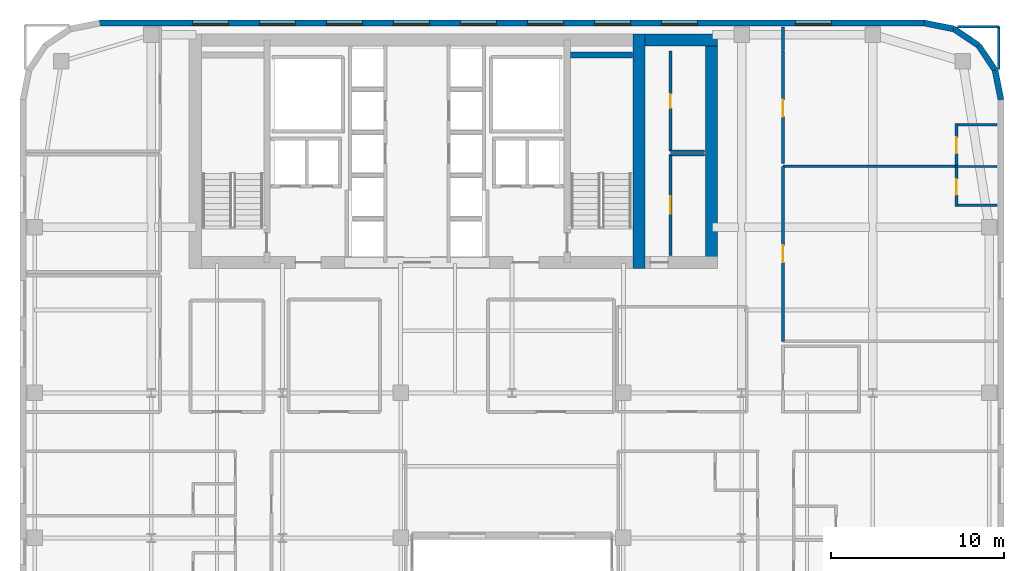
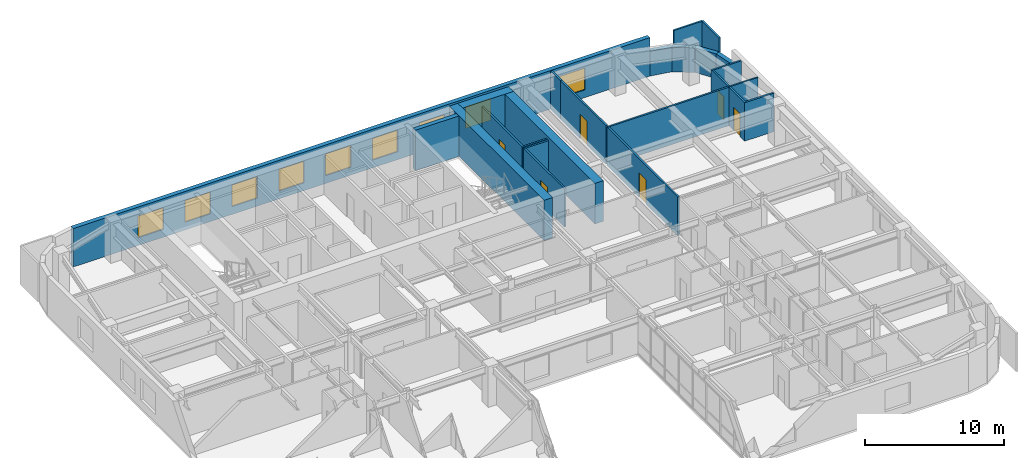
# One storey, part 15 of 17: 24 walls, 9 windows, 6 doors, 15 openings.
"""IFC4 building model written with IfcOpenShell, lengths in metres."""

from ifc_helpers import new_model, si_unit, direction, frame, frame_2d, origin, place, context, subcontext, project, spatial, rectangle, extrude, source, transform, mapped, material, layer, layer_set, type_object, type_shapes, element, fill, save


model = new_model("IFC4")

# Units and contexts
model_context = context("Model", 3, precision=1e-05, world=origin(), true_north=direction((0.0, 1.0)))
body_context = subcontext(model_context, "Body", "Model", "MODEL_VIEW")
ifc_project = project(units=[si_unit("LENGTHUNIT", "METRE"), si_unit("AREAUNIT", "SQUARE_METRE"), si_unit("VOLUMEUNIT", "CUBIC_METRE"), si_unit("PLANEANGLEUNIT", "RADIAN"), si_unit("MASSUNIT", "GRAM", prefix="KILO")], contexts=[model_context])

# Site, building, storey
site_placement = place(None, origin())
site = spatial("IfcSite", under=ifc_project, at=site_placement, CompositionType="ELEMENT")
building_placement = place(site_placement, origin())
building = spatial("IfcBuilding", under=site, at=building_placement, Name="Tolvann Quenvar Hotel", CompositionType="ELEMENT")
storey_placement = place(building_placement, frame((0.0, 0.0, 108.0)))
storey = spatial("IfcBuildingStorey", under=building, at=storey_placement, Name="L27", CompositionType="ELEMENT", Elevation=108.0)

# Walls
ifc_material_1 = material(Name="Concrete S65 (65 MPa)", Category="concrete")
ifc_layer_1 = layer(ifc_material_1, 0.699951171875)
ifc_layer_set_1 = layer_set([ifc_layer_1], Name="Concrete S65 (65 MPa)")
wall_type_1 = type_object("IfcWallType", Name="WALL_CORE_700", PredefinedType="SHEAR", material=ifc_layer_set_1)
wall_1_placement = place(storey_placement, frame((35.85009765625, 31.60009765625, 0.0), z_axis=(0.0, 0.0, 1.0), x_axis=(0.0, 1.0, 0.0)))
element("IfcWall", 1, at=wall_1_placement, inside=storey, type_object=wall_type_1, Name="Rear Core E Shear Wall (L27)", PredefinedType="SHEAR", context=body_context, shape_type="SweptSolid", body=[
    extrude(rectangle(XDim=13.599853515625, YDim=0.699951171875, at=frame_2d((6.7998046875, 0.0))), origin(), (0.0, 0.0, 1.0), 3.550048828125),
])
wall_2_placement = place(storey_placement, frame((36.199951171875, 44.85009765625, 0.0), z_axis=(0.0, 0.0, 1.0), x_axis=(1.0, 0.0, 0.0)))
element("IfcWall", 2, at=wall_2_placement, inside=storey, type_object=wall_type_1, Name="Core East Annex Shear Wall ANN-N (L27)", PredefinedType="SHEAR", context=body_context, shape_type="SweptSolid", body=[
    extrude(rectangle(XDim=4.199951171875, YDim=0.699951171875, at=frame_2d((2.10009765625, 0.0))), origin(), (0.0, 0.0, 1.0), 3.550048828125),
])
wall_3_placement = place(storey_placement, frame((40.050048828125, 31.60009765625, 0.0), z_axis=(0.0, 0.0, 1.0), x_axis=(0.0, 1.0, 0.0)))
element("IfcWall", 3, at=wall_3_placement, inside=storey, type_object=wall_type_1, Name="Core East Annex Shear Wall ANN-E (L27)", PredefinedType="SHEAR", context=body_context, shape_type="SweptSolid", body=[
    extrude(rectangle(XDim=13.599853515625, YDim=0.699951171875, at=frame_2d((6.7998046875, 0.0))), origin(), (0.0, 0.0, 1.0), 3.550048828125),
])
ifc_layer_2 = layer(ifc_material_1, 0.35009765625)
ifc_layer_set_2 = layer_set([ifc_layer_2], Name="Concrete S65 (65 MPa)")
wall_type_2 = type_object("IfcWallType", Name="WALL_CORE_INT_350", PredefinedType="SHEAR", material=ifc_layer_set_2)
wall_4_placement = place(storey_placement, frame((31.8798828125, 43.97509765625, 0.0), z_axis=(0.0, 0.0, 1.0), x_axis=(1.0, 0.0, 0.0)))
element("IfcWall", 4, at=wall_4_placement, inside=storey, type_object=wall_type_2, Name="Core Stair North Closing Shear Wall STC2-N (L27)", PredefinedType="SHEAR", context=body_context, shape_type="SweptSolid", body=[
    extrude(rectangle(XDim=3.60009765625, YDim=0.35009765625, at=frame_2d((1.800048828125, 0.0))), origin(), (0.0, 0.0, 1.0), 3.550048828125),
])
ifc_material_2 = material(Name="Kiln-fired red and buff architectural clay brickwork and terracotta masonry", Category="masonry")
ifc_layer_3 = layer(ifc_material_2, 0.35009765625)
ifc_layer_set_3 = layer_set([ifc_layer_3], Name="Kiln-fired red and buff architectural clay brickwork and terracotta masonry")
wall_type_3 = type_object("IfcWallType", Name="WALL_EXT_BRICK_350", PredefinedType="SOLIDWALL", material=ifc_layer_set_3)
wall_5_placement = place(storey_placement, frame((56.824951171875, 41.3828125, 0.0), z_axis=(0.0, 0.0, 1.0), x_axis=(-0.195011420161, 0.980800971659, 0.0)))
element("IfcWall", 5, at=wall_5_placement, inside=storey, type_object=wall_type_3, Name="Exterior Chicago Brick Wall L27-E14", PredefinedType="SOLIDWALL", context=body_context, shape_type="SweptSolid", body=[
    extrude(rectangle(XDim=1.74267578125, YDim=0.35009765625, at=frame_2d((0.871337890625, 0.0))), origin(), (0.0, 0.0, 1.0), 2.159912109375),
])
for number, where, z_axis, x_axis, name in (
    (6, (56.485107421875, 43.092041015625, 0.0), (0.0, 0.0, 1.0), (-0.55554893791, 0.831483840845, 0.0), "Exterior Chicago Brick Wall L27-E15"),
    (7, (55.526611328125, 44.526611328125, 0.0), (0.0, 0.0, 1.0), (-0.831483840845, 0.55554893791, 0.0), "Exterior Chicago Brick Wall L27-E16"),
):
    element("IfcWall", number, at=place(storey_placement, frame(where, z_axis=z_axis, x_axis=x_axis)), inside=storey, type_object=wall_type_3, Name=name, PredefinedType="SOLIDWALL", context=body_context, shape_type="SweptSolid", body=[
        extrude(rectangle(XDim=1.725341796875, YDim=0.35009765625, at=frame_2d((0.86279296875, 0.0))), origin(), (0.0, 0.0, 1.0), 2.159912109375),
    ])
wall_6_placement = place(storey_placement, frame((54.092041015625, 45.485107421875, 0.0), z_axis=(0.0, 0.0, 1.0), x_axis=(-0.980800971659, 0.195011420161, 0.0)))
element("IfcWall", 8, at=wall_6_placement, inside=storey, type_object=wall_type_3, Name="Exterior Chicago Brick Wall L27-E17", PredefinedType="SOLIDWALL", context=body_context, shape_type="SweptSolid", body=[
    extrude(rectangle(XDim=1.74267578125, YDim=0.35009765625, at=frame_2d((0.871337890625, 0.0))), origin(), (0.0, 0.0, 1.0), 2.159912109375),
])

# Wall, openings, windows
wall_7_placement = place(storey_placement, frame((52.3828125, 45.824951171875, 0.0), z_axis=(0.0, 0.0, 1.0), x_axis=(-1.0, 0.0, 0.0)))
wall_7 = element("IfcWall", 9, at=wall_7_placement, inside=storey, type_object=wall_type_3, Name="Exterior Chicago Brick Wall L27-E18", PredefinedType="SOLIDWALL", context=body_context, shape_type="SweptSolid", body=[
    extrude(rectangle(XDim=47.765625, YDim=0.35009765625, at=frame_2d((23.8828125, 0.0))), origin(), (0.0, 0.0, 1.0), 3.3701171875),
])
opening_1_placement = place(wall_7_placement, frame((5.37109375, 0.0, 0.679931640625)))
opening_1 = element("IfcOpeningElement", 10, at=opening_1_placement, cuts=wall_7, Name="Opening W-02", PredefinedType="OPENING", context=body_context, shape_type="SweptSolid", body=[
    extrude(rectangle(XDim=2.10009765625, YDim=1.89990234375, at=frame_2d((1.050048828125, 0.949951171875))), frame((0.0, 0.18505859375, 0.0), z_axis=(0.0, -1.0, 0.0), x_axis=(1.0, 0.0, 0.0)), (0.0, 0.0, 1.0), 0.3701171875),
])
opening_2_placement = place(wall_7_placement, frame((13.132080078125, 0.0, 0.679931640625)))
opening_2 = element("IfcOpeningElement", 11, at=opening_2_placement, cuts=wall_7, Name="Opening W-02", PredefinedType="OPENING", context=body_context, shape_type="SweptSolid", body=[
    extrude(rectangle(XDim=2.10009765625, YDim=1.89990234375, at=frame_2d((1.050048828125, 0.949951171875))), frame((0.0, 0.18505859375, 0.0), z_axis=(0.0, -1.0, 0.0), x_axis=(1.0, 0.0, 0.0)), (0.0, 0.0, 1.0), 0.3701171875),
])
opening_3_placement = place(wall_7_placement, frame((17.011962890625, 0.0, 0.679931640625)))
opening_3 = element("IfcOpeningElement", 12, at=opening_3_placement, cuts=wall_7, Name="Opening W-02", PredefinedType="OPENING", context=body_context, shape_type="SweptSolid", body=[
    extrude(rectangle(XDim=2.10009765625, YDim=1.89990234375, at=frame_2d((1.050048828125, 0.949951171875))), frame((0.0, 0.18505859375, 0.0), z_axis=(0.0, -1.0, 0.0), x_axis=(1.0, 0.0, 0.0)), (0.0, 0.0, 1.0), 0.3701171875),
])
opening_4_placement = place(wall_7_placement, frame((20.89306640625, 0.0, 0.679931640625)))
opening_4 = element("IfcOpeningElement", 13, at=opening_4_placement, cuts=wall_7, Name="Opening W-02", PredefinedType="OPENING", context=body_context, shape_type="SweptSolid", body=[
    extrude(rectangle(XDim=2.10009765625, YDim=1.89990234375, at=frame_2d((1.050048828125, 0.949951171875))), frame((0.0, 0.18505859375, 0.0), z_axis=(0.0, -1.0, 0.0), x_axis=(1.0, 0.0, 0.0)), (0.0, 0.0, 1.0), 0.3701171875),
])
opening_5_placement = place(wall_7_placement, frame((24.77294921875, 0.0, 0.679931640625)))
opening_5 = element("IfcOpeningElement", 14, at=opening_5_placement, cuts=wall_7, Name="Opening W-02", PredefinedType="OPENING", context=body_context, shape_type="SweptSolid", body=[
    extrude(rectangle(XDim=2.10009765625, YDim=1.89990234375, at=frame_2d((1.050048828125, 0.949951171875))), frame((0.0, 0.18505859375, 0.0), z_axis=(0.0, -1.0, 0.0), x_axis=(1.0, 0.0, 0.0)), (0.0, 0.0, 1.0), 0.3701171875),
])
opening_6_placement = place(wall_7_placement, frame((28.654052734375, 0.0, 0.679931640625)))
opening_6 = element("IfcOpeningElement", 15, at=opening_6_placement, cuts=wall_7, Name="Opening W-02", PredefinedType="OPENING", context=body_context, shape_type="SweptSolid", body=[
    extrude(rectangle(XDim=2.10009765625, YDim=1.89990234375, at=frame_2d((1.050048828125, 0.949951171875))), frame((0.0, 0.18505859375, 0.0), z_axis=(0.0, -1.0, 0.0), x_axis=(1.0, 0.0, 0.0)), (0.0, 0.0, 1.0), 0.3701171875),
])
opening_7_placement = place(wall_7_placement, frame((32.533935546875, 0.0, 0.679931640625)))
opening_7 = element("IfcOpeningElement", 16, at=opening_7_placement, cuts=wall_7, Name="Opening W-02", PredefinedType="OPENING", context=body_context, shape_type="SweptSolid", body=[
    extrude(rectangle(XDim=2.10009765625, YDim=1.89990234375, at=frame_2d((1.050048828125, 0.949951171875))), frame((0.0, 0.18505859375, 0.0), z_axis=(0.0, -1.0, 0.0), x_axis=(1.0, 0.0, 0.0)), (0.0, 0.0, 1.0), 0.3701171875),
])
opening_8_placement = place(wall_7_placement, frame((36.4140625, 0.0, 0.679931640625)))
opening_8 = element("IfcOpeningElement", 17, at=opening_8_placement, cuts=wall_7, Name="Opening W-02", PredefinedType="OPENING", context=body_context, shape_type="SweptSolid", body=[
    extrude(rectangle(XDim=2.10009765625, YDim=1.89990234375, at=frame_2d((1.050048828125, 0.949951171875))), frame((0.0, 0.18505859375, 0.0), z_axis=(0.0, -1.0, 0.0), x_axis=(1.0, 0.0, 0.0)), (0.0, 0.0, 1.0), 0.3701171875),
])
opening_9_placement = place(wall_7_placement, frame((40.294921875, 0.0, 0.679931640625)))
opening_9 = element("IfcOpeningElement", 18, at=opening_9_placement, cuts=wall_7, Name="Opening W-02", PredefinedType="OPENING", context=body_context, shape_type="SweptSolid", body=[
    extrude(rectangle(XDim=2.10009765625, YDim=1.89990234375, at=frame_2d((1.050048828125, 0.949951171875))), frame((0.0, 0.18505859375, 0.0), z_axis=(0.0, -1.0, 0.0), x_axis=(1.0, 0.0, 0.0)), (0.0, 0.0, 1.0), 0.3701171875),
])
ifc_material_3 = material(Name="Thermally broken bronze-anodised aluminium frame with double low-E glazing", Category="aluminium")
window_type = type_object("IfcWindowType", Name="WIN_CHI_2100x2050", PartitioningType="TRIPLE_PANEL_HORIZONTAL", PredefinedType="WINDOW", material=ifc_material_3)
shared_shape_1 = source(origin(), body_context, "Body", "SweptSolid", [
    extrude(rectangle(XDim=2.10009765625, YDim=1.89990234375, at=frame_2d((1.050048828125, 0.949951171875))), frame((0.0, 0.090087890625, 0.0), z_axis=(0.0, -1.0, 0.0), x_axis=(1.0, 0.0, 0.0)), (0.0, 0.0, 1.0), 0.06005859375),
])
type_shapes(window_type, [shared_shape_1])
window_1_placement = place(opening_1_placement, origin())
window_1 = element("IfcWindow", 19, at=window_1_placement, inside=storey, type_object=window_type, Name="Chicago Window W-02 (EW-L27-E18-W01)", OverallHeight=1.89990234375, OverallWidth=2.10009765625, PartitioningType="TRIPLE_PANEL_HORIZONTAL", PredefinedType="WINDOW", context=body_context, shape_type="MappedRepresentation", body=[
    mapped(shared_shape_1, transform((0.0, 0.0, 0.0), x_axis=(1.0, 0.0, 0.0), y_axis=(0.0, 1.0, 0.0), z_axis=(0.0, 0.0, 1.0), scale=1.0)),
])
fill(opening_1, window_1)
window_2_placement = place(opening_2_placement, origin())
window_2 = element("IfcWindow", 20, at=window_2_placement, inside=storey, type_object=window_type, Name="Chicago Window W-02 (EW-L27-E18-W02)", OverallHeight=1.89990234375, OverallWidth=2.10009765625, PartitioningType="TRIPLE_PANEL_HORIZONTAL", PredefinedType="WINDOW", context=body_context, shape_type="MappedRepresentation", body=[
    mapped(shared_shape_1, transform((0.0, 0.0, 0.0), x_axis=(1.0, 0.0, 0.0), y_axis=(0.0, 1.0, 0.0), z_axis=(0.0, 0.0, 1.0), scale=1.0)),
])
fill(opening_2, window_2)
window_3_placement = place(opening_3_placement, origin())
window_3 = element("IfcWindow", 21, at=window_3_placement, inside=storey, type_object=window_type, Name="Chicago Window W-02 (EW-L27-E18-W03)", OverallHeight=1.89990234375, OverallWidth=2.10009765625, PartitioningType="TRIPLE_PANEL_HORIZONTAL", PredefinedType="WINDOW", context=body_context, shape_type="MappedRepresentation", body=[
    mapped(shared_shape_1, transform((0.0, 0.0, 0.0), x_axis=(1.0, 0.0, 0.0), y_axis=(0.0, 1.0, 0.0), z_axis=(0.0, 0.0, 1.0), scale=1.0)),
])
fill(opening_3, window_3)
window_4_placement = place(opening_4_placement, origin())
window_4 = element("IfcWindow", 22, at=window_4_placement, inside=storey, type_object=window_type, Name="Chicago Window W-02 (EW-L27-E18-W04)", OverallHeight=1.89990234375, OverallWidth=2.10009765625, PartitioningType="TRIPLE_PANEL_HORIZONTAL", PredefinedType="WINDOW", context=body_context, shape_type="MappedRepresentation", body=[
    mapped(shared_shape_1, transform((0.0, 0.0, 0.0), x_axis=(1.0, 0.0, 0.0), y_axis=(0.0, 1.0, 0.0), z_axis=(0.0, 0.0, 1.0), scale=1.0)),
])
fill(opening_4, window_4)
window_5_placement = place(opening_5_placement, origin())
window_5 = element("IfcWindow", 23, at=window_5_placement, inside=storey, type_object=window_type, Name="Chicago Window W-02 (EW-L27-E18-W05)", OverallHeight=1.89990234375, OverallWidth=2.10009765625, PartitioningType="TRIPLE_PANEL_HORIZONTAL", PredefinedType="WINDOW", context=body_context, shape_type="MappedRepresentation", body=[
    mapped(shared_shape_1, transform((0.0, 0.0, 0.0), x_axis=(1.0, 0.0, 0.0), y_axis=(0.0, 1.0, 0.0), z_axis=(0.0, 0.0, 1.0), scale=1.0)),
])
fill(opening_5, window_5)
window_6_placement = place(opening_6_placement, origin())
window_6 = element("IfcWindow", 24, at=window_6_placement, inside=storey, type_object=window_type, Name="Chicago Window W-02 (EW-L27-E18-W06)", OverallHeight=1.89990234375, OverallWidth=2.10009765625, PartitioningType="TRIPLE_PANEL_HORIZONTAL", PredefinedType="WINDOW", context=body_context, shape_type="MappedRepresentation", body=[
    mapped(shared_shape_1, transform((0.0, 0.0, 0.0), x_axis=(1.0, 0.0, 0.0), y_axis=(0.0, 1.0, 0.0), z_axis=(0.0, 0.0, 1.0), scale=1.0)),
])
fill(opening_6, window_6)
window_7_placement = place(opening_7_placement, origin())
window_7 = element("IfcWindow", 25, at=window_7_placement, inside=storey, type_object=window_type, Name="Chicago Window W-02 (EW-L27-E18-W07)", OverallHeight=1.89990234375, OverallWidth=2.10009765625, PartitioningType="TRIPLE_PANEL_HORIZONTAL", PredefinedType="WINDOW", context=body_context, shape_type="MappedRepresentation", body=[
    mapped(shared_shape_1, transform((0.0, 0.0, 0.0), x_axis=(1.0, 0.0, 0.0), y_axis=(0.0, 1.0, 0.0), z_axis=(0.0, 0.0, 1.0), scale=1.0)),
])
fill(opening_7, window_7)
window_8_placement = place(opening_8_placement, origin())
window_8 = element("IfcWindow", 26, at=window_8_placement, inside=storey, type_object=window_type, Name="Chicago Window W-02 (EW-L27-E18-W08)", OverallHeight=1.89990234375, OverallWidth=2.10009765625, PartitioningType="TRIPLE_PANEL_HORIZONTAL", PredefinedType="WINDOW", context=body_context, shape_type="MappedRepresentation", body=[
    mapped(shared_shape_1, transform((0.0, 0.0, 0.0), x_axis=(1.0, 0.0, 0.0), y_axis=(0.0, 1.0, 0.0), z_axis=(0.0, 0.0, 1.0), scale=1.0)),
])
fill(opening_8, window_8)
window_9_placement = place(opening_9_placement, origin())
window_9 = element("IfcWindow", 27, at=window_9_placement, inside=storey, type_object=window_type, Name="Chicago Window W-02 (EW-L27-E18-W09)", OverallHeight=1.89990234375, OverallWidth=2.10009765625, PartitioningType="TRIPLE_PANEL_HORIZONTAL", PredefinedType="WINDOW", context=body_context, shape_type="MappedRepresentation", body=[
    mapped(shared_shape_1, transform((0.0, 0.0, 0.0), x_axis=(1.0, 0.0, 0.0), y_axis=(0.0, 1.0, 0.0), z_axis=(0.0, 0.0, 1.0), scale=1.0)),
])
fill(opening_9, window_9)

# Wall
ifc_material_4 = material(Name="Moisture-resistant acoustic plumbing wall assembly")
ifc_layer_4 = layer(ifc_material_4, 0.1201171875)
ifc_layer_set_4 = layer_set([ifc_layer_4], Name="Moisture-resistant acoustic plumbing wall assembly")
wall_type_4 = type_object("IfcWallType", Name="WALL_PART_BATH_120", PredefinedType="PLUMBINGWALL", material=ifc_layer_set_4)
wall_8_placement = place(storey_placement, frame((54.179931640625, 37.52001953125, 0.0), z_axis=(0.0, 0.0, 1.0), x_axis=(1.0, 0.0, 0.0)))
element("IfcWall", 28, at=wall_8_placement, inside=storey, type_object=wall_type_4, Name="Non-Rated Plumbing Partition PT-SPC-L27-ENS-NE01-N", PredefinedType="PLUMBINGWALL", context=body_context, shape_type="SweptSolid", body=[
    extrude(rectangle(XDim=2.4150390625, YDim=0.1201171875, at=frame_2d((1.20751953125, 0.0))), origin(), (0.0, 0.0, 1.0), 3.3701171875),
])

# Wall, opening, door
ifc_material_5 = material(Name="Acoustic twin-stud fire-rated gypsum plasterboard partition")
ifc_layer_5 = layer(ifc_material_5, 0.14990234375)
ifc_layer_set_5 = layer_set([ifc_layer_5], Name="Acoustic twin-stud fire-rated gypsum plasterboard partition")
wall_type_5 = type_object("IfcWallType", Name="WALL_PART_SUITE_150", PredefinedType="PARTITIONING", material=ifc_layer_set_5)
wall_9_placement = place(storey_placement, frame((54.25, 35.199951171875, 0.0), z_axis=(0.0, 0.0, 1.0), x_axis=(0.0, 1.0, 0.0)))
wall_9 = element("IfcWall", 29, at=wall_9_placement, inside=storey, type_object=wall_type_5, Name="Interior Partition PT-SPC-L27-ENS-NE01-ENT", PredefinedType="PARTITIONING", context=body_context, shape_type="SweptSolid", body=[
    extrude(rectangle(XDim=2.39013671875, YDim=0.14990234375, at=frame_2d((1.195068359375, 0.0))), origin(), (0.0, 0.0, 1.0), 3.3701171875),
])
opening_10_placement = place(wall_9_placement, frame((0.6650390625, 0.0, 0.0)))
opening_10 = element("IfcOpeningElement", 30, at=opening_10_placement, cuts=wall_9, Name="Opening WD-01", PredefinedType="OPENING", context=body_context, shape_type="SweptSolid", body=[
    extrude(rectangle(XDim=0.919921875, YDim=2.010009765625, at=frame_2d((0.4599609375, 1.0048828125))), frame((0.0, 0.0849609375, 0.0), z_axis=(0.0, -1.0, 0.0), x_axis=(1.0, 0.0, 0.0)), (0.0, 0.0, 1.0), 0.169921875),
])
ifc_material_6 = material(Name="Solid-core American oak acoustic fire door leaf in steel frame", Category="steel")
door_type_1 = type_object("IfcDoorType", Name="DOOR_WC_920", OperationType="NOTDEFINED", PredefinedType="DOOR", material=ifc_material_6)
shared_shape_2 = source(origin(), body_context, "Body", "SweptSolid", [
    extrude(rectangle(XDim=0.919921875, YDim=2.010009765625, at=frame_2d((0.4599609375, 1.0048828125))), frame((0.0, 0.02490234375, 0.0), z_axis=(0.0, -1.0, 0.0), x_axis=(1.0, 0.0, 0.0)), (0.0, 0.0, 1.0), 0.050048828125),
])
type_shapes(door_type_1, [shared_shape_2])
door_1_placement = place(opening_10_placement, origin())
door_1 = element("IfcDoor", 31, at=door_1_placement, inside=storey, type_object=door_type_1, Name="Interior Door DOOR-SPC-L27-ENS-NE01", OperationType="SINGLE_SWING_RIGHT", OverallHeight=2.010009765625, OverallWidth=0.919921875, PredefinedType="DOOR", context=body_context, shape_type="MappedRepresentation", body=[
    mapped(shared_shape_2, transform((0.0, 0.0, 0.0), x_axis=(1.0, 0.0, 0.0), y_axis=(0.0, 1.0, 0.0), z_axis=(0.0, 0.0, 1.0), scale=1.0)),
])
fill(opening_10, door_1)

# Wall
wall_10_placement = place(storey_placement, frame((54.179931640625, 35.27001953125, 0.0), z_axis=(0.0, 0.0, 1.0), x_axis=(1.0, 0.0, 0.0)))
element("IfcWall", 32, at=wall_10_placement, inside=storey, type_object=wall_type_5, Name="Interior Partition PT-SPC-L27-ENS-NE01-S", PredefinedType="PARTITIONING", context=body_context, shape_type="SweptSolid", body=[
    extrude(rectangle(XDim=2.4150390625, YDim=0.14990234375, at=frame_2d((1.20751953125, 0.0))), origin(), (0.0, 0.0, 1.0), 3.3701171875),
])

# Wall, opening, door
wall_11_placement = place(storey_placement, frame((54.25, 37.610107421875, 0.0), z_axis=(0.0, 0.0, 1.0), x_axis=(0.0, 1.0, 0.0)))
wall_11 = element("IfcWall", 33, at=wall_11_placement, inside=storey, type_object=wall_type_5, Name="Interior Partition PT-SPC-L27-ENS-NE02-ENT", PredefinedType="PARTITIONING", context=body_context, shape_type="SweptSolid", body=[
    extrude(rectangle(XDim=2.389892578125, YDim=0.14990234375, at=frame_2d((1.19482421875, 0.0))), origin(), (0.0, 0.0, 1.0), 3.3701171875),
])
opening_11_placement = place(wall_11_placement, frame((0.6650390625, 0.0, 0.0)))
opening_11 = element("IfcOpeningElement", 34, at=opening_11_placement, cuts=wall_11, Name="Opening WD-01", PredefinedType="OPENING", context=body_context, shape_type="SweptSolid", body=[
    extrude(rectangle(XDim=0.919921875, YDim=2.010009765625, at=frame_2d((0.4599609375, 1.0048828125))), frame((0.0, 0.0849609375, 0.0), z_axis=(0.0, -1.0, 0.0), x_axis=(1.0, 0.0, 0.0)), (0.0, 0.0, 1.0), 0.169921875),
])
door_2_placement = place(opening_11_placement, origin())
door_2 = element("IfcDoor", 35, at=door_2_placement, inside=storey, type_object=door_type_1, Name="Interior Door DOOR-SPC-L27-ENS-NE02", OperationType="SINGLE_SWING_LEFT", OverallHeight=2.010009765625, OverallWidth=0.919921875, PredefinedType="DOOR", context=body_context, shape_type="MappedRepresentation", body=[
    mapped(shared_shape_2, transform((0.0, 0.0, 0.0), x_axis=(1.0, 0.0, 0.0), y_axis=(0.0, 1.0, 0.0), z_axis=(0.0, 0.0, 1.0), scale=1.0)),
])
fill(opening_11, door_2)

# Walls
wall_12_placement = place(storey_placement, frame((54.179931640625, 39.929931640625, 0.0), z_axis=(0.0, 0.0, 1.0), x_axis=(1.0, 0.0, 0.0)))
element("IfcWall", 36, at=wall_12_placement, inside=storey, type_object=wall_type_5, Name="Interior Partition PT-SPC-L27-ENS-NE02-N", PredefinedType="PARTITIONING", context=body_context, shape_type="SweptSolid", body=[
    extrude(rectangle(XDim=2.4150390625, YDim=0.14990234375, at=frame_2d((1.20751953125, 0.0))), origin(), (0.0, 0.0, 1.0), 3.3701171875),
])
wall_13_placement = place(storey_placement, frame((37.679931640625, 38.199951171875, 0.0), z_axis=(0.0, 0.0, 1.0), x_axis=(1.0, 0.0, 0.0)))
element("IfcWall", 37, at=wall_13_placement, inside=storey, type_object=wall_type_5, Name="Interior Partition PT-SPC-L27-RECPL-1-N", PredefinedType="PARTITIONING", context=body_context, shape_type="SweptSolid", body=[
    extrude(rectangle(XDim=1.965087890625, YDim=0.14990234375, at=frame_2d((0.982421875, 0.0))), origin(), (0.0, 0.0, 1.0), 3.3701171875),
])

# Wall, opening, door
wall_14_placement = place(storey_placement, frame((37.679931640625, 32.35498046875, 0.0), z_axis=(0.0, 0.0, 1.0), x_axis=(0.0, 1.0, 0.0)))
wall_14 = element("IfcWall", 38, at=wall_14_placement, inside=storey, type_object=wall_type_5, Name="Interior Partition PT-SPC-L27-RECPL-1-W", PredefinedType="PARTITIONING", context=body_context, shape_type="SweptSolid", body=[
    extrude(rectangle(XDim=5.844970703125, YDim=0.14990234375, at=frame_2d((2.92236328125, 0.0))), origin(), (0.0, 0.0, 1.0), 3.3701171875),
])
opening_12_placement = place(wall_14_placement, frame((2.41259765625, 0.0, 0.0)))
opening_12 = element("IfcOpeningElement", 39, at=opening_12_placement, cuts=wall_14, Name="Opening HD-01", PredefinedType="OPENING", context=body_context, shape_type="SweptSolid", body=[
    extrude(rectangle(XDim=1.02001953125, YDim=2.030029296875, at=frame_2d((0.510009765625, 1.01513671875))), frame((0.0, 0.0849609375, 0.0), z_axis=(0.0, -1.0, 0.0), x_axis=(1.0, 0.0, 0.0)), (0.0, 0.0, 1.0), 0.169921875),
])
ifc_material_7 = material(Name="Pressed galvanised steel fire-rated door set", Category="steel")
door_type_2 = type_object("IfcDoorType", Name="DOOR_BOH_1020", OperationType="NOTDEFINED", PredefinedType="DOOR", material=ifc_material_7)
shared_shape_3 = source(origin(), body_context, "Body", "SweptSolid", [
    extrude(rectangle(XDim=1.02001953125, YDim=2.030029296875, at=frame_2d((0.510009765625, 1.01513671875))), frame((0.0, 0.02490234375, 0.0), z_axis=(0.0, -1.0, 0.0), x_axis=(1.0, 0.0, 0.0)), (0.0, 0.0, 1.0), 0.050048828125),
])
type_shapes(door_type_2, [shared_shape_3])
door_3_placement = place(opening_12_placement, origin())
door_3 = element("IfcDoor", 40, at=door_3_placement, inside=storey, type_object=door_type_2, Name="Interior Door DOOR-SPC-L27-RECPL-1", OperationType="SINGLE_SWING_RIGHT", OverallHeight=2.030029296875, OverallWidth=1.02001953125, PredefinedType="DOOR", context=body_context, shape_type="MappedRepresentation", body=[
    mapped(shared_shape_3, transform((0.0, 0.0, 0.0), x_axis=(1.0, 0.0, 0.0), y_axis=(0.0, 1.0, 0.0), z_axis=(0.0, 0.0, 1.0), scale=1.0)),
])
fill(opening_12, door_3)

# Wall
wall_15_placement = place(storey_placement, frame((37.679931640625, 38.39990234375, 0.0), z_axis=(0.0, 0.0, 1.0), x_axis=(1.0, 0.0, 0.0)))
element("IfcWall", 41, at=wall_15_placement, inside=storey, type_object=wall_type_5, Name="Interior Partition PT-SPC-L27-CSE-1-S", PredefinedType="PARTITIONING", context=body_context, shape_type="SweptSolid", body=[
    extrude(rectangle(XDim=1.965087890625, YDim=0.14990234375, at=frame_2d((0.982421875, 0.0))), origin(), (0.0, 0.0, 1.0), 3.3701171875),
])

# Wall, opening, door
wall_16_placement = place(storey_placement, frame((37.679931640625, 38.39990234375, 0.0), z_axis=(0.0, 0.0, 1.0), x_axis=(0.0, 1.0, 0.0)))
wall_16 = element("IfcWall", 42, at=wall_16_placement, inside=storey, type_object=wall_type_5, Name="Interior Partition PT-SPC-L27-CSE-1-W", PredefinedType="PARTITIONING", context=body_context, shape_type="SweptSolid", body=[
    extrude(rectangle(XDim=5.800048828125, YDim=0.14990234375, at=frame_2d((2.89990234375, 0.0))), origin(), (0.0, 0.0, 1.0), 3.3701171875),
])
opening_13_placement = place(wall_16_placement, frame((2.489990234375, 0.0, 0.0)))
opening_13 = element("IfcOpeningElement", 43, at=opening_13_placement, cuts=wall_16, Name="Opening HD-02", PredefinedType="OPENING", context=body_context, shape_type="SweptSolid", body=[
    extrude(rectangle(XDim=0.820068359375, YDim=2.010009765625, at=frame_2d((0.41015625, 1.0048828125))), frame((0.0, 0.0849609375, 0.0), z_axis=(0.0, -1.0, 0.0), x_axis=(1.0, 0.0, 0.0)), (0.0, 0.0, 1.0), 0.169921875),
])
door_type_3 = type_object("IfcDoorType", Name="DOOR_STORE_820", OperationType="NOTDEFINED", PredefinedType="DOOR", material=ifc_material_7)
shared_shape_4 = source(origin(), body_context, "Body", "SweptSolid", [
    extrude(rectangle(XDim=0.820068359375, YDim=2.010009765625, at=frame_2d((0.41015625, 1.0048828125))), frame((0.0, 0.02490234375, 0.0), z_axis=(0.0, -1.0, 0.0), x_axis=(1.0, 0.0, 0.0)), (0.0, 0.0, 1.0), 0.050048828125),
])
type_shapes(door_type_3, [shared_shape_4])
door_4_placement = place(opening_13_placement, origin())
door_4 = element("IfcDoor", 44, at=door_4_placement, inside=storey, type_object=door_type_3, Name="Interior Door DOOR-SPC-L27-CSE-1", OperationType="SINGLE_SWING_LEFT", OverallHeight=2.010009765625, OverallWidth=0.820068359375, PredefinedType="DOOR", context=body_context, shape_type="MappedRepresentation", body=[
    mapped(shared_shape_4, transform((0.0, 0.0, 0.0), x_axis=(1.0, 0.0, 0.0), y_axis=(0.0, 1.0, 0.0), z_axis=(0.0, 0.0, 1.0), scale=1.0)),
])
fill(opening_13, door_4)

wall_17_placement = place(storey_placement, frame((44.199951171875, 27.3798828125, 0.0), z_axis=(0.0, 0.0, 1.0), x_axis=(0.0, 1.0, 0.0)))
wall_17 = element("IfcWall", 45, at=wall_17_placement, inside=storey, type_object=wall_type_5, Name="Interior Partition PT-SPC-L27-RM-NE01-ENT", PredefinedType="PARTITIONING", context=body_context, shape_type="SweptSolid", body=[
    extrude(rectangle(XDim=10.14013671875, YDim=0.14990234375, at=frame_2d((5.070068359375, 0.0))), origin(), (0.0, 0.0, 1.0), 3.3701171875),
])
opening_14_placement = place(wall_17_placement, frame((4.580078125, 0.0, 0.0)))
opening_14 = element("IfcOpeningElement", 46, at=opening_14_placement, cuts=wall_17, Name="Opening SD-01", PredefinedType="OPENING", context=body_context, shape_type="SweptSolid", body=[
    extrude(rectangle(XDim=0.97998046875, YDim=2.1201171875, at=frame_2d((0.489990234375, 1.06005859375))), frame((0.0, 0.0849609375, 0.0), z_axis=(0.0, -1.0, 0.0), x_axis=(1.0, 0.0, 0.0)), (0.0, 0.0, 1.0), 0.169921875),
])
door_type_4 = type_object("IfcDoorType", Name="DOOR_SUITE_980", OperationType="NOTDEFINED", PredefinedType="DOOR", material=ifc_material_6)
shared_shape_5 = source(origin(), body_context, "Body", "SweptSolid", [
    extrude(rectangle(XDim=0.97998046875, YDim=2.1201171875, at=frame_2d((0.489990234375, 1.06005859375))), frame((0.0, 0.02490234375, 0.0), z_axis=(0.0, -1.0, 0.0), x_axis=(1.0, 0.0, 0.0)), (0.0, 0.0, 1.0), 0.050048828125),
])
type_shapes(door_type_4, [shared_shape_5])
door_5_placement = place(opening_14_placement, origin())
door_5 = element("IfcDoor", 47, at=door_5_placement, inside=storey, type_object=door_type_4, Name="Interior Door DOOR-SPC-L27-RM-NE01", OperationType="SINGLE_SWING_LEFT", OverallHeight=2.1201171875, OverallWidth=0.97998046875, PredefinedType="DOOR", context=body_context, shape_type="MappedRepresentation", body=[
    mapped(shared_shape_5, transform((0.0, 0.0, 0.0), x_axis=(1.0, 0.0, 0.0), y_axis=(0.0, 1.0, 0.0), z_axis=(0.0, 0.0, 1.0), scale=1.0)),
])
fill(opening_14, door_5)

# Wall
wall_18_placement = place(storey_placement, frame((44.199951171875, 37.52001953125, 0.0), z_axis=(0.0, 0.0, 1.0), x_axis=(1.0, 0.0, 0.0)))
element("IfcWall", 48, at=wall_18_placement, inside=storey, type_object=wall_type_5, Name="Interior Partition PT-SPC-L27-RM-NE01-E5", PredefinedType="PARTITIONING", context=body_context, shape_type="SweptSolid", body=[
    extrude(rectangle(XDim=10.030029296875, YDim=0.14990234375, at=frame_2d((5.01513671875, 0.0))), origin(), (0.0, 0.0, 1.0), 3.3701171875),
])

# Wall, opening, door
wall_19_placement = place(storey_placement, frame((44.199951171875, 37.679931640625, 0.0), z_axis=(0.0, 0.0, 1.0), x_axis=(0.0, 1.0, 0.0)))
wall_19 = element("IfcWall", 49, at=wall_19_placement, inside=storey, type_object=wall_type_5, Name="Interior Partition PT-SPC-L27-RM-NE02-ENT", PredefinedType="PARTITIONING", context=body_context, shape_type="SweptSolid", body=[
    extrude(rectangle(XDim=6.530029296875, YDim=0.14990234375, at=frame_2d((3.26513671875, 0.0))), origin(), (0.0, 0.0, 1.0), 3.3701171875),
])
opening_15_placement = place(wall_19_placement, frame((2.719970703125, 0.0, 0.0)))
opening_15 = element("IfcOpeningElement", 50, at=opening_15_placement, cuts=wall_19, Name="Opening SD-01", PredefinedType="OPENING", context=body_context, shape_type="SweptSolid", body=[
    extrude(rectangle(XDim=0.97998046875, YDim=2.1201171875, at=frame_2d((0.489990234375, 1.06005859375))), frame((0.0, 0.0849609375, 0.0), z_axis=(0.0, -1.0, 0.0), x_axis=(1.0, 0.0, 0.0)), (0.0, 0.0, 1.0), 0.169921875),
])
door_6_placement = place(opening_15_placement, origin())
door_6 = element("IfcDoor", 51, at=door_6_placement, inside=storey, type_object=door_type_4, Name="Interior Door DOOR-SPC-L27-RM-NE02", OperationType="SINGLE_SWING_RIGHT", OverallHeight=2.1201171875, OverallWidth=0.97998046875, PredefinedType="DOOR", context=body_context, shape_type="MappedRepresentation", body=[
    mapped(shared_shape_5, transform((0.0, 0.0, 0.0), x_axis=(1.0, 0.0, 0.0), y_axis=(0.0, 1.0, 0.0), z_axis=(0.0, 0.0, 1.0), scale=1.0)),
])
fill(opening_15, door_6)

# Walls
wall_20_placement = place(storey_placement, frame((56.699951171875, 43.135009765625, 0.0), z_axis=(0.0, 0.0, 1.0), x_axis=(0.0, 1.0, 0.0)))
element("IfcWall", 52, at=wall_20_placement, inside=storey, type_object=wall_type_5, Name="Interior Partition PT-SPC-L27-RM-NE02-E4", PredefinedType="PARTITIONING", context=body_context, shape_type="SweptSolid", body=[
    extrude(rectangle(XDim=2.485107421875, YDim=0.14990234375, at=frame_2d((1.24267578125, 0.0))), origin(), (0.0, 0.0, 1.0), 3.3701171875),
])
wall_21_placement = place(storey_placement, frame((54.303955078125, 45.6201171875, 0.0), z_axis=(0.0, 0.0, 1.0), x_axis=(1.0, 0.0, 0.0)))
element("IfcWall", 53, at=wall_21_placement, inside=storey, type_object=wall_type_5, Name="Interior Partition PT-SPC-L27-RM-NE02-E5", PredefinedType="PARTITIONING", context=body_context, shape_type="SweptSolid", body=[
    extrude(rectangle(XDim=2.39599609375, YDim=0.14990234375, at=frame_2d((1.197998046875, 0.0))), origin(), (0.0, 0.0, 1.0), 3.3701171875),
])
wall_22_placement = place(storey_placement, frame((44.199951171875, 44.219970703125, 0.0), z_axis=(0.0, 0.0, 1.0), x_axis=(0.0, 1.0, 0.0)))
element("IfcWall", 54, at=wall_22_placement, inside=storey, type_object=wall_type_5, Name="Interior Partition PT-SPC-L27-RM-NE02-E6", PredefinedType="PARTITIONING", context=body_context, shape_type="SweptSolid", body=[
    extrude(rectangle(XDim=1.375, YDim=0.14990234375, at=frame_2d((0.6875, 0.0))), origin(), (0.0, 0.0, 1.0), 3.3701171875),
])

save(model, "model.ifc")
